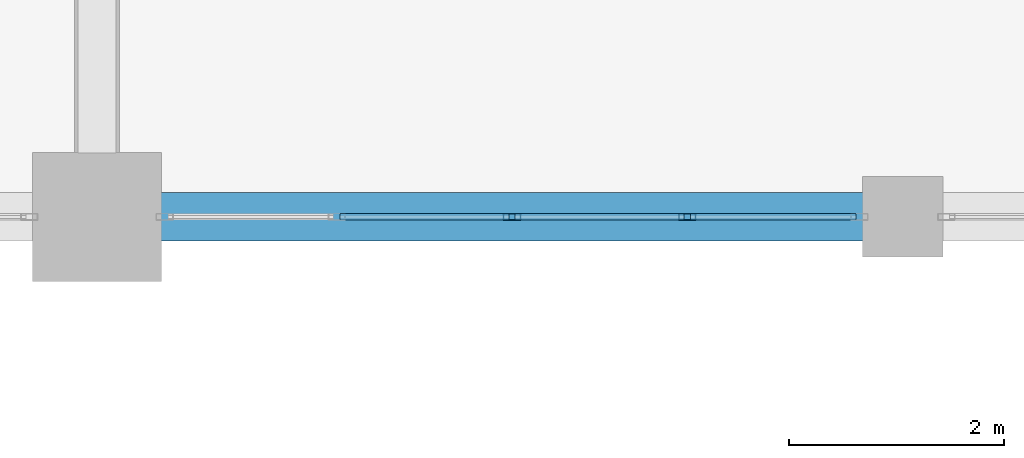
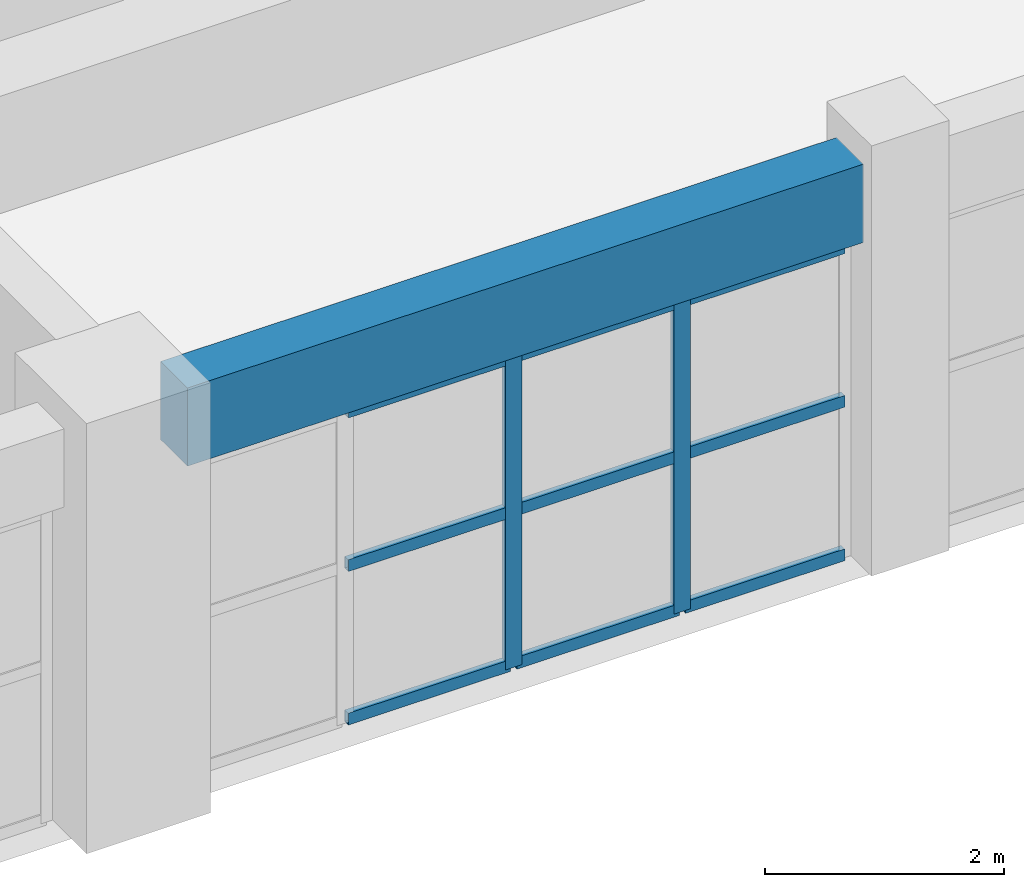
# One storey, part 35 of 116: 11 members, 1 beam, 1 element without a shape of its own.
"""IFC4 building model written with IfcOpenShell, lengths in metres."""

from ifc_helpers import new_model, si_unit, direction, frame, origin, origin_2d, place, context, subcontext, project, spatial, rectangle, hollow_rectangle, extrude, material, layer, layer_set, material_profile, profile_set, type_object, element, aggregate, save


model = new_model("IFC4")

# Units and contexts
model_context = context("Model", 3, precision=1e-05, world=origin(), true_north=direction((0.0, 1.0)))
body_context = subcontext(model_context, "Body", "Model", "MODEL_VIEW")
ifc_project = project(units=[si_unit("LENGTHUNIT", "METRE"), si_unit("AREAUNIT", "SQUARE_METRE"), si_unit("VOLUMEUNIT", "CUBIC_METRE"), si_unit("PLANEANGLEUNIT", "RADIAN"), si_unit("MASSUNIT", "GRAM", prefix="KILO")], contexts=[model_context])

# Site, building, storey
site_placement = place(None, origin())
site = spatial("IfcSite", under=ifc_project, at=site_placement, CompositionType="ELEMENT")
building_placement = place(site_placement, origin())
building = spatial("IfcBuilding", under=site, at=building_placement, Name="Muzn Square Opera House", CompositionType="ELEMENT")
storey_placement = place(building_placement, frame((0.0, 0.0, 5.39990234375)))
storey = spatial("IfcBuildingStorey", under=building, at=storey_placement, Name="L01", CompositionType="ELEMENT", Elevation=5.39990234375)

# Curtain wall, members
ifc_material_1 = material(Name="Low-E laminated acoustic double glazing", Category="glass")
ifc_layer = layer(ifc_material_1, 0.159912109375, Name="Low-E laminated acoustic double glazing", Category="glass")
ifc_layer_set = layer_set([ifc_layer], Name="Low-E laminated acoustic double glazing")
curtain_wall_type = type_object("IfcCurtainWallType", Name="Glazed Curtain Wall Forecourt 6525x3200", PredefinedType="USERDEFINED", material=ifc_layer_set)
curtain_wall_placement = place(storey_placement, origin())
curtain_wall = element("IfcCurtainWall", 1, at=curtain_wall_placement, inside=storey, type_object=curtain_wall_type, Name="Glazed Curtain Wall CW-L01-005", ObjectType="GLAZED CURTAIN WALL", PredefinedType="USERDEFINED")
ifc_material_2 = material(Name="Anodised bronze aluminium 6063-T6", Category="metal")
ifc_material_profile_1 = material_profile(ifc_material_2, hollow_rectangle(XDim=0.06005859375, YDim=0.159912109375, WallThickness=0.00390625, at=origin_2d()), Name="ALU 160x60x4", Category="metal")
ifc_profile_set_1 = profile_set([ifc_material_profile_1], Name="Anodised bronze aluminium 6063-T6")
member_type_1 = type_object("IfcMemberType", Name="Curtain Wall Mullion 160x60", PredefinedType="MULLION", material=ifc_profile_set_1)
member_1_placement = place(storey_placement, frame((76.862548828125, 22.0, 0.0), z_axis=(0.0, 0.0, 1.0), x_axis=(0.0, 1.0, 0.0)))
member_1 = element("IfcMember", 2, at=member_1_placement, type_object=member_type_1, Name="CW-FC-65x32 mullion 3", PredefinedType="MULLION", context=body_context, shape_type="SweptSolid", body=[
    extrude(hollow_rectangle(XDim=0.06005859375, YDim=0.159912109375, WallThickness=0.00390625, at=origin_2d()), origin(), (0.0, 0.0, 1.0), 3.2001953125),
])
member_2_placement = place(storey_placement, frame((78.49365234375, 22.0, 0.0), z_axis=(0.0, 0.0, 1.0), x_axis=(0.0, 1.0, 0.0)))
member_2 = element("IfcMember", 3, at=member_2_placement, type_object=member_type_1, Name="CW-FC-65x32 mullion 4", PredefinedType="MULLION", context=body_context, shape_type="SweptSolid", body=[
    extrude(hollow_rectangle(XDim=0.06005859375, YDim=0.159912109375, WallThickness=0.00390625, at=origin_2d()), origin(), (0.0, 0.0, 1.0), 3.2001953125),
])
ifc_material_profile_2 = material_profile(ifc_material_2, hollow_rectangle(XDim=0.06005859375, YDim=0.1201171875, WallThickness=0.00390625, at=origin_2d()), Name="ALU 120x60x4", Category="metal")
ifc_profile_set_2 = profile_set([ifc_material_profile_2], Name="Anodised bronze aluminium 6063-T6")
member_type_2 = type_object("IfcMemberType", Name="Curtain Wall Transom 120x60", PredefinedType="USERDEFINED", material=ifc_profile_set_2)
member_3_placement = place(storey_placement, frame((75.26123046875, 22.0, 0.030029296875), z_axis=(1.0, 0.0, 0.0), x_axis=(0.0, 1.0, 0.0)))
member_3 = element("IfcMember", 4, at=member_3_placement, type_object=member_type_2, Name="CW-FC-65x32 transom 2.1", ObjectType="TRANSOM", PredefinedType="USERDEFINED", context=body_context, shape_type="SweptSolid", body=[
    extrude(hollow_rectangle(XDim=0.06005859375, YDim=0.1201171875, WallThickness=0.00390625, at=origin_2d()), origin(), (0.0, 0.0, 1.0), 1.5712890625),
])
member_4_placement = place(storey_placement, frame((75.26123046875, 22.0, 1.60009765625), z_axis=(1.0, 0.0, 0.0), x_axis=(0.0, 1.0, 0.0)))
member_4 = element("IfcMember", 5, at=member_4_placement, type_object=member_type_2, Name="CW-FC-65x32 transom 2.2", ObjectType="TRANSOM", PredefinedType="USERDEFINED", context=body_context, shape_type="SweptSolid", body=[
    extrude(hollow_rectangle(XDim=0.06005859375, YDim=0.1201171875, WallThickness=0.00390625, at=origin_2d()), origin(), (0.0, 0.0, 1.0), 1.5712890625),
])
member_5_placement = place(storey_placement, frame((75.26123046875, 22.0, 3.170166015625), z_axis=(1.0, 0.0, 0.0), x_axis=(0.0, 1.0, 0.0)))
member_5 = element("IfcMember", 6, at=member_5_placement, type_object=member_type_2, Name="CW-FC-65x32 transom 2.3", ObjectType="TRANSOM", PredefinedType="USERDEFINED", context=body_context, shape_type="SweptSolid", body=[
    extrude(hollow_rectangle(XDim=0.06005859375, YDim=0.1201171875, WallThickness=0.00390625, at=origin_2d()), origin(), (0.0, 0.0, 1.0), 1.5712890625),
])
member_6_placement = place(storey_placement, frame((76.892578125, 22.0, 0.030029296875), z_axis=(1.0, 0.0, 0.0), x_axis=(0.0, 1.0, 0.0)))
member_6 = element("IfcMember", 7, at=member_6_placement, type_object=member_type_2, Name="CW-FC-65x32 transom 3.1", ObjectType="TRANSOM", PredefinedType="USERDEFINED", context=body_context, shape_type="SweptSolid", body=[
    extrude(hollow_rectangle(XDim=0.06005859375, YDim=0.1201171875, WallThickness=0.00390625, at=origin_2d()), origin(), (0.0, 0.0, 1.0), 1.5712890625),
])
member_7_placement = place(storey_placement, frame((76.892578125, 22.0, 1.60009765625), z_axis=(1.0, 0.0, 0.0), x_axis=(0.0, 1.0, 0.0)))
member_7 = element("IfcMember", 8, at=member_7_placement, type_object=member_type_2, Name="CW-FC-65x32 transom 3.2", ObjectType="TRANSOM", PredefinedType="USERDEFINED", context=body_context, shape_type="SweptSolid", body=[
    extrude(hollow_rectangle(XDim=0.06005859375, YDim=0.1201171875, WallThickness=0.00390625, at=origin_2d()), origin(), (0.0, 0.0, 1.0), 1.5712890625),
])
member_8_placement = place(storey_placement, frame((76.892578125, 22.0, 3.170166015625), z_axis=(1.0, 0.0, 0.0), x_axis=(0.0, 1.0, 0.0)))
member_8 = element("IfcMember", 9, at=member_8_placement, type_object=member_type_2, Name="CW-FC-65x32 transom 3.3", ObjectType="TRANSOM", PredefinedType="USERDEFINED", context=body_context, shape_type="SweptSolid", body=[
    extrude(hollow_rectangle(XDim=0.06005859375, YDim=0.1201171875, WallThickness=0.00390625, at=origin_2d()), origin(), (0.0, 0.0, 1.0), 1.5712890625),
])
member_9_placement = place(storey_placement, frame((78.523681640625, 22.0, 0.030029296875), z_axis=(1.0, 0.0, 0.0), x_axis=(0.0, 1.0, 0.0)))
member_9 = element("IfcMember", 10, at=member_9_placement, type_object=member_type_2, Name="CW-FC-65x32 transom 4.1", ObjectType="TRANSOM", PredefinedType="USERDEFINED", context=body_context, shape_type="SweptSolid", body=[
    extrude(hollow_rectangle(XDim=0.06005859375, YDim=0.1201171875, WallThickness=0.00390625, at=origin_2d()), origin(), (0.0, 0.0, 1.0), 1.541259765625),
])
member_10_placement = place(storey_placement, frame((78.523681640625, 22.0, 1.60009765625), z_axis=(1.0, 0.0, 0.0), x_axis=(0.0, 1.0, 0.0)))
member_10 = element("IfcMember", 11, at=member_10_placement, type_object=member_type_2, Name="CW-FC-65x32 transom 4.2", ObjectType="TRANSOM", PredefinedType="USERDEFINED", context=body_context, shape_type="SweptSolid", body=[
    extrude(hollow_rectangle(XDim=0.06005859375, YDim=0.1201171875, WallThickness=0.00390625, at=origin_2d()), origin(), (0.0, 0.0, 1.0), 1.541259765625),
])
member_11_placement = place(storey_placement, frame((78.523681640625, 22.0, 3.170166015625), z_axis=(1.0, 0.0, 0.0), x_axis=(0.0, 1.0, 0.0)))
member_11 = element("IfcMember", 12, at=member_11_placement, type_object=member_type_2, Name="CW-FC-65x32 transom 4.3", ObjectType="TRANSOM", PredefinedType="USERDEFINED", context=body_context, shape_type="SweptSolid", body=[
    extrude(hollow_rectangle(XDim=0.06005859375, YDim=0.1201171875, WallThickness=0.00390625, at=origin_2d()), origin(), (0.0, 0.0, 1.0), 1.541259765625),
])
aggregate(curtain_wall, [member_1, member_2, member_3, member_4, member_5, member_6, member_7, member_8, member_9, member_10, member_11])

# Beam
ifc_material_3 = material(Name="Concrete C40/50", Category="concrete")
ifc_material_profile_3 = material_profile(ifc_material_3, rectangle(XDim=0.449951171875, YDim=0.800048828125, at=origin_2d()), Name="RCB 450x800", Category="concrete")
ifc_profile_set_3 = profile_set([ifc_material_profile_3], Name="Concrete C40/50")
beam_type = type_object("IfcBeamType", Name="Primary Girder 450x800", PredefinedType="BEAM", material=ifc_profile_set_3)
beam_placement = place(storey_placement, frame((73.592041015625, 22.0, 3.72021484375), z_axis=(1.0, 0.0, 0.0), x_axis=(0.0, 1.0, 0.0)))
element("IfcBeam", 13, at=beam_placement, inside=storey, type_object=beam_type, Name="Primary Girder BM-L01-BM-PG800-736_220_801_220-1283", PredefinedType="BEAM", context=body_context, shape_type="SweptSolid", body=[
    extrude(rectangle(XDim=0.449951171875, YDim=0.800048828125, at=origin_2d()), origin(), (0.0, 0.0, 1.0), 6.541015625),
])

save(model, "model.ifc")
